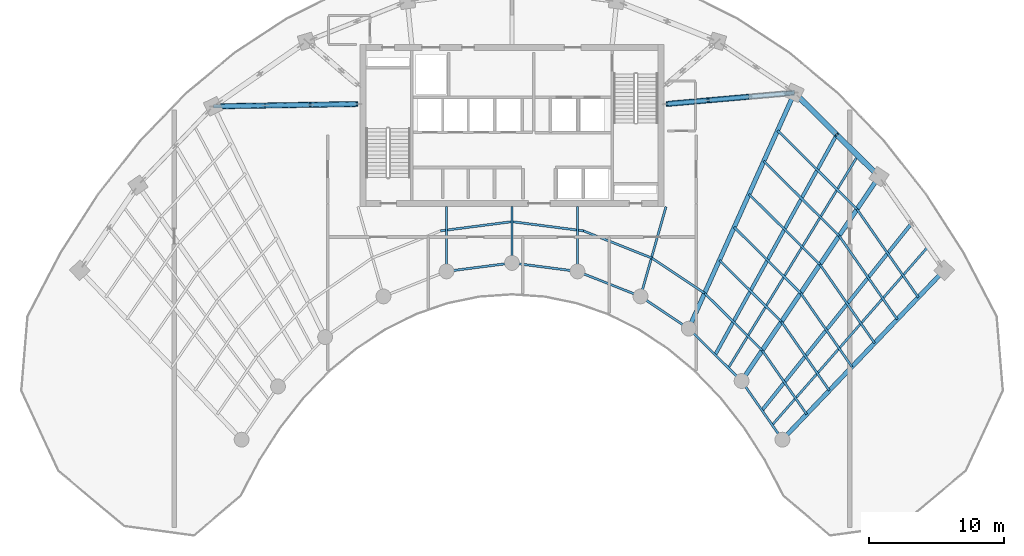
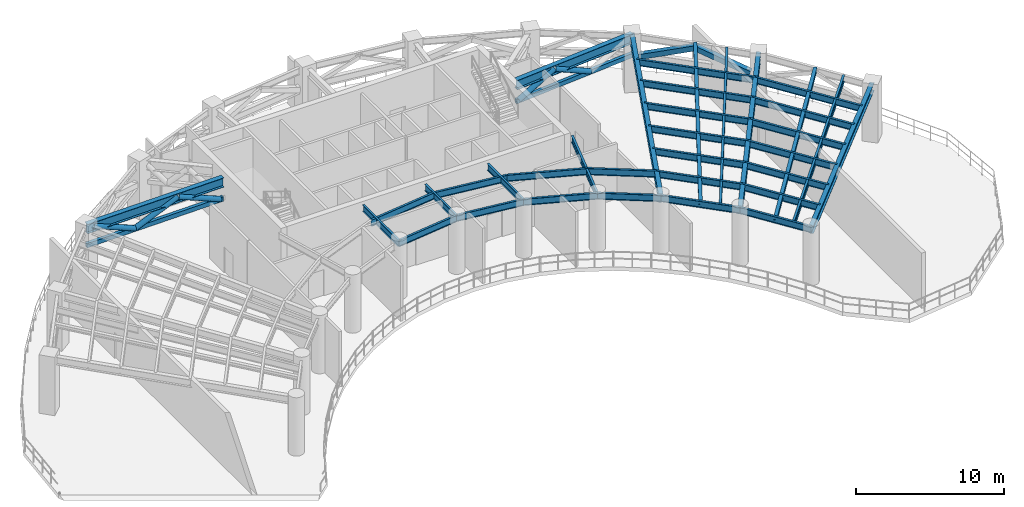
# One storey, part 2 of 19: 35 beams, 9 members.
"""IFC4 building model written with IfcOpenShell, lengths in metres."""

from ifc_helpers import new_model, si_unit, direction, frame, origin, origin_2d, place, context, subcontext, project, spatial, hollow_rectangle, hollow_circle, i_section, extrude, source, transform, mapped, material, material_profile, profile_set, type_object, type_shapes, element, save


model = new_model("IFC4")

# Units and contexts
model_context = context("Model", 3, precision=1e-05, world=origin(), true_north=direction((0.0, 1.0)))
body_context = subcontext(model_context, "Body", "Model", "MODEL_VIEW")
ifc_project = project(units=[si_unit("LENGTHUNIT", "METRE"), si_unit("AREAUNIT", "SQUARE_METRE"), si_unit("VOLUMEUNIT", "CUBIC_METRE"), si_unit("PLANEANGLEUNIT", "RADIAN"), si_unit("MASSUNIT", "GRAM", prefix="KILO")], contexts=[model_context])

# Site, building, storey
site_placement = place(None, origin())
site = spatial("IfcSite", under=ifc_project, at=site_placement, CompositionType="ELEMENT")
building_placement = place(site_placement, origin())
building = spatial("IfcBuilding", under=site, at=building_placement, Name="Breltana Convention Tower", CompositionType="ELEMENT")
storey_placement = place(building_placement, frame((0.0, 0.0, 194.39990234375)))
storey = spatial("IfcBuildingStorey", under=building, at=storey_placement, Name="L47", CompositionType="ELEMENT", Elevation=194.39990234375)

# Members
ifc_material_1 = material(Name="Steel EN 10210 S355J2H", Category="steel")
ifc_material_profile_1 = material_profile(ifc_material_1, hollow_rectangle(XDim=0.25, YDim=0.35009765625, WallThickness=0.011962890625, at=origin_2d()), Name="RHS350X250X12")
ifc_profile_set_1 = profile_set([ifc_material_profile_1], Name="Steel EN 10210 S355J2H")
member_type_1 = type_object("IfcMemberType", Name="MB-CH-RHS350X250X12", PredefinedType="CHORD", material=ifc_profile_set_1)
shared_shape_1 = source(origin(), body_context, "Body", "SweptSolid", [
    extrude(hollow_rectangle(XDim=0.25, YDim=0.35009765625, WallThickness=0.011962890625, at=origin_2d()), origin(), (0.0, 0.0, 1.0), 10.7138671875),
])
type_shapes(member_type_1, [shared_shape_1])
member_1_placement = place(storey_placement, frame((36.60009765625, 67.800048828125, 2.75), z_axis=(-0.999869477978, -0.016156330277, 0.0), x_axis=(0.016156330277, -0.999869477978, 0.0)))
element("IfcMember", 1, at=member_1_placement, inside=storey, type_object=member_type_1, Name="L47 Outrigger Truss Bottom Chord R03W", PredefinedType="CHORD", context=body_context, shape_type="MappedRepresentation", body=[
    mapped(shared_shape_1, transform((0.0, 0.0, 0.0), scale=1.0)),
])
shared_shape_2 = source(origin(), body_context, "Body", "SweptSolid", [
    extrude(hollow_rectangle(XDim=0.25, YDim=0.35009765625, WallThickness=0.011962890625, at=origin_2d()), origin(), (0.0, 0.0, 1.0), 9.546875),
])
member_2_placement = place(storey_placement, frame((59.39990234375, 67.800048828125, 2.75), z_axis=(0.996183857182, 0.087279566283, 0.0), x_axis=(-0.087279566283, 0.996183857182, 0.0)))
element("IfcMember", 2, at=member_2_placement, inside=storey, type_object=member_type_1, Name="L47 Outrigger Truss Bottom Chord R09E", PredefinedType="CHORD", context=body_context, shape_type="MappedRepresentation", body=[
    mapped(shared_shape_2, transform((0.0, 0.0, 0.0), scale=1.0)),
])

# Beams
ifc_material_2 = material(Name="Steel ASTM A992 Grade 50", Category="steel")
ifc_material_profile_2 = material_profile(ifc_material_2, i_section(OverallWidth=0.381103515625, OverallDepth=0.77294921875, WebThickness=0.0166015625, FlangeThickness=0.027099609375, at=origin_2d()), Name="W30X173")
ifc_profile_set_2 = profile_set([ifc_material_profile_2], Name="Steel ASTM A992 Grade 50")
beam_type_1 = type_object("IfcBeamType", Name="BM-OT-W30X173", PredefinedType="USERDEFINED", material=ifc_profile_set_2)
shared_shape_3 = source(origin(), body_context, "Body", "SweptSolid", [
    extrude(i_section(OverallWidth=0.381103515625, OverallDepth=0.77294921875, WebThickness=0.0166015625, FlangeThickness=0.027099609375, at=origin_2d()), origin(), (0.0, 0.0, 1.0), 10.7138671875),
])
type_shapes(beam_type_1, [shared_shape_3])
beam_1_placement = place(storey_placement, frame((36.60009765625, 67.800048828125, 4.153564453125), z_axis=(-0.999869477978, -0.016156330277, 0.0), x_axis=(0.016156330277, -0.999869477978, 0.0)))
element("IfcBeam", 3, at=beam_1_placement, inside=storey, type_object=beam_type_1, Name="L47 Outrigger Top Chord R03W", ObjectType="GIRDER", PredefinedType="USERDEFINED", context=body_context, shape_type="MappedRepresentation", body=[
    mapped(shared_shape_3, transform((0.0, 0.0, 0.0), scale=1.0)),
])
shared_shape_4 = source(origin(), body_context, "Body", "SweptSolid", [
    extrude(i_section(OverallWidth=0.381103515625, OverallDepth=0.77294921875, WebThickness=0.0166015625, FlangeThickness=0.027099609375, at=origin_2d()), origin(), (0.0, 0.0, 1.0), 9.546875),
])
beam_2_placement = place(storey_placement, frame((59.39990234375, 67.800048828125, 4.153564453125), z_axis=(0.996183857182, 0.087279566283, 0.0), x_axis=(-0.087279566283, 0.996183857182, 0.0)))
element("IfcBeam", 4, at=beam_2_placement, inside=storey, type_object=beam_type_1, Name="L47 Outrigger Top Chord R09E", ObjectType="GIRDER", PredefinedType="USERDEFINED", context=body_context, shape_type="MappedRepresentation", body=[
    mapped(shared_shape_4, transform((0.0, 0.0, 0.0), scale=1.0)),
])

# Members
ifc_material_profile_3 = material_profile(ifc_material_1, hollow_circle(Radius=0.202880859375, WallThickness=0.01611328125, at=origin_2d()), Name="CHS406X16")
ifc_profile_set_3 = profile_set([ifc_material_profile_3], Name="Steel EN 10210 S355J2H")
member_type_2 = type_object("IfcMemberType", Name="MB-BR-CHS406X16", PredefinedType="BRACE", material=ifc_profile_set_3)
shared_shape_5 = source(origin(), body_context, "Body", "SweptSolid", [
    extrude(hollow_circle(Radius=0.202880859375, WallThickness=0.01611328125, at=origin_2d()), origin(), (0.0, 0.0, 1.0), 3.620849609375),
])
for number, where, z_axis, x_axis, name in (
    (5, (36.39990234375, 67.796875, 2.75), (-0.921696692484, -0.01490087557, 0.387625039143), (0.016164676285, -0.999869343085, 0.0), "L47 Outrigger Truss Diagonal 1 R03W"),
    (6, (33.0625, 67.742919921875, 4.153564453125), (-0.921696692484, -0.01490087557, -0.387625039143), (0.016164676285, -0.999869343085, 0.0), "L47 Outrigger Truss Diagonal 2 R03W"),
    (7, (29.72509765625, 67.68896484375, 2.75), (-0.921696692484, -0.01490087557, 0.387625039143), (0.016164676285, -0.999869343085, 0.0), "L47 Outrigger Truss Diagonal 3 R03W"),
):
    element("IfcMember", number, at=place(storey_placement, frame(where, z_axis=z_axis, x_axis=x_axis)), inside=storey, type_object=member_type_2, Name=name, PredefinedType="BRACE", context=body_context, shape_type="MappedRepresentation", body=[
        mapped(shared_shape_5, transform((0.0, 0.0, 0.0), scale=1.0)),
    ])
shared_shape_6 = source(origin(), body_context, "Body", "SweptSolid", [
    extrude(hollow_circle(Radius=0.202880859375, WallThickness=0.01611328125, at=origin_2d()), origin(), (0.0, 0.0, 1.0), 3.26611328125),
])
member_3_placement = place(storey_placement, frame((59.59912109375, 67.8173828125, 2.75), z_axis=(0.899510673961, 0.078858547534, 0.429723023483), x_axis=(-0.087333305676, 0.996179147403, 0.0)))
element("IfcMember", 8, at=member_3_placement, inside=storey, type_object=member_type_2, Name="L47 Outrigger Truss Diagonal 1 R09E", PredefinedType="BRACE", context=body_context, shape_type="MappedRepresentation", body=[
    mapped(shared_shape_6, transform((0.0, 0.0, 0.0), scale=1.0)),
])
shared_shape_7 = source(origin(), body_context, "Body", "SweptSolid", [
    extrude(hollow_circle(Radius=0.202880859375, WallThickness=0.01611328125, at=origin_2d()), origin(), (0.0, 0.0, 1.0), 3.265869140625),
])
member_4_placement = place(storey_placement, frame((62.537109375, 68.074951171875, 4.153564453125), z_axis=(0.899487433474, 0.078794859947, -0.429783348989), x_axis=(-0.087265548524, 0.996185085233, 0.0)))
element("IfcMember", 9, at=member_4_placement, inside=storey, type_object=member_type_2, Name="L47 Outrigger Truss Diagonal 2 R09E", PredefinedType="BRACE", context=body_context, shape_type="MappedRepresentation", body=[
    mapped(shared_shape_7, transform((0.0, 0.0, 0.0), scale=1.0)),
])
ifc_material_profile_4 = material_profile(ifc_material_1, hollow_rectangle(XDim=0.39990234375, YDim=0.39990234375, WallThickness=0.01611328125, at=origin_2d()), Name="RHS400X400X16")
ifc_profile_set_4 = profile_set([ifc_material_profile_4], Name="Steel EN 10210 S355J2H")
member_type_3 = type_object("IfcMemberType", Name="MB-BR-RHS400X400X16", PredefinedType="BRACE", material=ifc_profile_set_4)
shared_shape_8 = source(origin(), body_context, "Body", "SweptSolid", [
    extrude(hollow_rectangle(XDim=0.39990234375, YDim=0.39990234375, WallThickness=0.01611328125, at=origin_2d()), origin(), (0.0, 0.0, 1.0), 4.102783203125),
])
for number, where, z_axis, x_axis, name in (
    (10, (69.301025390625, 68.24609375, 2.75), (0.667260476788, -0.661607239894, 0.342110093736), (0.704092253317, 0.710108512003, 0.0), "L47 Perimeter Belt Truss Brace 09A"),
    (11, (72.03857421875, 65.53173828125, 4.153564453125), (0.667260476788, -0.661607239894, -0.342110093736), (0.704092253317, 0.710108512003, 0.0), "L47 Perimeter Belt Truss Brace 09B"),
):
    element("IfcMember", number, at=place(storey_placement, frame(where, z_axis=z_axis, x_axis=x_axis)), inside=storey, type_object=member_type_3, Name=name, PredefinedType="BRACE", context=body_context, shape_type="MappedRepresentation", body=[
        mapped(shared_shape_8, transform((0.0, 0.0, 0.0), scale=1.0)),
    ])

# Beams
ifc_material_profile_5 = material_profile(ifc_material_2, i_section(OverallWidth=0.25390625, OverallDepth=0.305908203125, WebThickness=0.0087890625, FlangeThickness=0.0146484375, at=origin_2d()), Name="W12X53")
ifc_profile_set_5 = profile_set([ifc_material_profile_5], Name="Steel ASTM A992 Grade 50")
beam_type_2 = type_object("IfcBeamType", Name="BM-JSG-10", PredefinedType="JOIST", material=ifc_profile_set_5)
shared_shape_9 = source(origin(), body_context, "Body", "SweptSolid", [
    extrude(i_section(OverallWidth=0.25390625, OverallDepth=0.305908203125, WebThickness=0.0087890625, FlangeThickness=0.0146484375, at=origin_2d()), origin(), (0.0, 0.0, 1.0), 18.617431640625),
])
beam_3_placement = place(storey_placement, frame((63.038818359375, 49.234130859375, 4.38720703125), z_axis=(0.483405602507, 0.875396495004, 0.0), x_axis=(-0.875396495004, 0.483405602507, 0.0)))
element("IfcBeam", 12, at=beam_3_placement, inside=storey, type_object=beam_type_2, Name="L47 Mid-Bay Radial Trimmer 09", PredefinedType="JOIST", context=body_context, shape_type="MappedRepresentation", body=[
    mapped(shared_shape_9, transform((0.0, 0.0, 0.0), scale=1.0)),
])
ifc_material_profile_6 = material_profile(ifc_material_2, i_section(OverallWidth=0.166015625, OverallDepth=0.534912109375, WebThickness=0.01025390625, FlangeThickness=0.0166015625, at=origin_2d()), Name="W21X57")
ifc_profile_set_6 = profile_set([ifc_material_profile_6], Name="Steel ASTM A992 Grade 50")
beam_type_3 = type_object("IfcBeamType", Name="BM-JSG-05", PredefinedType="JOIST", material=ifc_profile_set_6)
shared_shape_10 = source(origin(), body_context, "Body", "SweptSolid", [
    extrude(i_section(OverallWidth=0.166015625, OverallDepth=0.534912109375, WebThickness=0.01025390625, FlangeThickness=0.0166015625, at=origin_2d()), origin(), (0.0, 0.0, 1.0), 18.409423828125),
])
beam_4_placement = place(storey_placement, frame((64.017333984375, 48.263916015625, 4.272705078125), z_axis=(0.520682167606, 0.853750596098, 0.0), x_axis=(-0.853750596098, 0.520682167606, 0.0)))
element("IfcBeam", 13, at=beam_4_placement, inside=storey, type_object=beam_type_3, Name="L47 Quarter-Bay Radial Trimmer 09", PredefinedType="JOIST", context=body_context, shape_type="MappedRepresentation", body=[
    mapped(shared_shape_10, transform((0.0, 0.0, 0.0), scale=1.0)),
])
shared_shape_11 = source(origin(), body_context, "Body", "SweptSolid", [
    extrude(i_section(OverallWidth=0.25390625, OverallDepth=0.305908203125, WebThickness=0.0087890625, FlangeThickness=0.0146484375, at=origin_2d()), origin(), (0.0, 0.0, 1.0), 17.7236328125),
])
beam_5_placement = place(storey_placement, frame((66.505615234375, 45.124267578125, 4.38720703125), z_axis=(0.624829427563, 0.78076128647, 0.0), x_axis=(-0.78076128647, 0.624829427563, 0.0)))
element("IfcBeam", 14, at=beam_5_placement, inside=storey, type_object=beam_type_2, Name="L47 Mid-Bay Radial Trimmer 10", PredefinedType="JOIST", context=body_context, shape_type="MappedRepresentation", body=[
    mapped(shared_shape_11, transform((0.0, 0.0, 0.0), scale=1.0)),
])
shared_shape_12 = source(origin(), body_context, "Body", "SweptSolid", [
    extrude(i_section(OverallWidth=0.166015625, OverallDepth=0.534912109375, WebThickness=0.01025390625, FlangeThickness=0.0166015625, at=origin_2d()), origin(), (0.0, 0.0, 1.0), 17.515625),
])
beam_6_placement = place(storey_placement, frame((67.260498046875, 44.03955078125, 4.272705078125), z_axis=(0.658051548324, 0.752972881151, 0.0), x_axis=(-0.752972881151, 0.658051548324, 0.0)))
element("IfcBeam", 15, at=beam_6_placement, inside=storey, type_object=beam_type_3, Name="L47 Quarter-Bay Radial Trimmer 10", PredefinedType="JOIST", context=body_context, shape_type="MappedRepresentation", body=[
    mapped(shared_shape_12, transform((0.0, 0.0, 0.0), scale=1.0)),
])
ifc_material_profile_7 = material_profile(ifc_material_2, i_section(OverallWidth=0.166015625, OverallDepth=0.534912109375, WebThickness=0.01025390625, FlangeThickness=0.0166015625, at=origin_2d()), Name="W21X57")
ifc_profile_set_7 = profile_set([ifc_material_profile_7], Name="Steel ASTM A992 Grade 50")
beam_type_4 = type_object("IfcBeamType", Name="BM-BM-W21X57", PredefinedType="BEAM", material=ifc_profile_set_7)
shared_shape_13 = source(origin(), body_context, "Body", "SweptSolid", [
    extrude(i_section(OverallWidth=0.166015625, OverallDepth=0.534912109375, WebThickness=0.01025390625, FlangeThickness=0.0166015625, at=origin_2d()), origin(), (0.0, 0.0, 1.0), 6.904541015625),
])
type_shapes(beam_type_4, [shared_shape_13])
beam_7_placement = place(storey_placement, frame((59.39990234375, 60.199951171875, 4.272705078125), z_axis=(-0.273006781054, -0.962012108811, 0.0), x_axis=(0.962012108811, -0.273006781054, 0.0)))
element("IfcBeam", 16, at=beam_7_placement, inside=storey, type_object=beam_type_4, Name="L47 South Core Tie Girder R08", PredefinedType="BEAM", context=body_context, shape_type="MappedRepresentation", body=[
    mapped(shared_shape_13, transform((0.0, 0.0, 0.0), scale=1.0)),
])
shared_shape_14 = source(origin(), body_context, "Body", "SweptSolid", [
    extrude(i_section(OverallWidth=0.166015625, OverallDepth=0.534912109375, WebThickness=0.01025390625, FlangeThickness=0.0166015625, at=origin_2d()), origin(), (0.0, 0.0, 1.0), 4.789306640625),
])
for number, where, z_axis, x_axis, name in (
    (17, (43.153564453125, 60.199951171875, 4.272705078125), (0.0, -1.0, 0.0), (1.0, 0.0, 0.0), "L47 South Core Tie Girder R05"),
    (18, (52.846435546875, 60.199951171875, 4.272705078125), (0.0, -1.0, 0.0), (1.0, 0.0, 0.0), "L47 South Core Tie Girder R07"),
):
    element("IfcBeam", number, at=place(storey_placement, frame(where, z_axis=z_axis, x_axis=x_axis)), inside=storey, type_object=beam_type_4, Name=name, PredefinedType="BEAM", context=body_context, shape_type="MappedRepresentation", body=[
        mapped(shared_shape_14, transform((0.0, 0.0, 0.0), scale=1.0)),
    ])
shared_shape_15 = source(origin(), body_context, "Body", "SweptSolid", [
    extrude(i_section(OverallWidth=0.166015625, OverallDepth=0.534912109375, WebThickness=0.01025390625, FlangeThickness=0.0166015625, at=origin_2d()), origin(), (0.0, 0.0, 1.0), 4.1640625),
])
beam_8_placement = place(storey_placement, frame((48.0, 60.199951171875, 4.272705078125), z_axis=(0.0, -1.0, 0.0), x_axis=(1.0, 0.0, 0.0)))
element("IfcBeam", 19, at=beam_8_placement, inside=storey, type_object=beam_type_4, Name="L47 South Core Tie Girder R06", PredefinedType="BEAM", context=body_context, shape_type="MappedRepresentation", body=[
    mapped(shared_shape_15, transform((0.0, 0.0, 0.0), scale=1.0)),
])
shared_shape_16 = source(origin(), body_context, "Body", "SweptSolid", [
    extrude(i_section(OverallWidth=0.166015625, OverallDepth=0.534912109375, WebThickness=0.01025390625, FlangeThickness=0.0166015625, at=origin_2d()), origin(), (0.0, 0.0, 1.0), 5.022705078125),
])
beam_9_placement = place(storey_placement, frame((52.846435546875, 55.41064453125, 4.272705078125), z_axis=(0.929458966248, -0.368925507469, 0.0), x_axis=(0.368925507469, 0.929458966248, 0.0)))
element("IfcBeam", 20, at=beam_9_placement, inside=storey, type_object=beam_type_4, Name="L47 Inner Ring Beam 07", PredefinedType="BEAM", context=body_context, shape_type="MappedRepresentation", body=[
    mapped(shared_shape_16, transform((0.0, 0.0, 0.0), scale=1.0)),
])
shared_shape_17 = source(origin(), body_context, "Body", "SweptSolid", [
    extrude(i_section(OverallWidth=0.166015625, OverallDepth=0.534912109375, WebThickness=0.01025390625, FlangeThickness=0.0166015625, at=origin_2d()), origin(), (0.0, 0.0, 1.0), 4.88671875),
])
for number, where, z_axis, x_axis, name in (
    (21, (43.153564453125, 55.41064453125, 4.272705078125), (0.991780525565, 0.127950729231, 0.0), (-0.127950729231, 0.991780525565, 0.0), "L47 Inner Ring Beam 05"),
    (22, (48.0, 56.035888671875, 4.272705078125), (0.991780525565, -0.127950729231, 0.0), (0.127950729231, 0.991780525565, 0.0), "L47 Inner Ring Beam 06"),
):
    element("IfcBeam", number, at=place(storey_placement, frame(where, z_axis=z_axis, x_axis=x_axis)), inside=storey, type_object=beam_type_4, Name=name, PredefinedType="BEAM", context=body_context, shape_type="MappedRepresentation", body=[
        mapped(shared_shape_17, transform((0.0, 0.0, 0.0), scale=1.0)),
    ])
shared_shape_18 = source(origin(), body_context, "Body", "SweptSolid", [
    extrude(i_section(OverallWidth=0.166015625, OverallDepth=0.534912109375, WebThickness=0.01025390625, FlangeThickness=0.0166015625, at=origin_2d()), origin(), (0.0, 0.0, 1.0), 4.2900390625),
])
beam_10_placement = place(storey_placement, frame((57.514892578125, 53.5576171875, 4.272705078125), z_axis=(0.831515827753, -0.555501060482, 0.0), x_axis=(0.555501060482, 0.831515827753, 0.0)))
element("IfcBeam", 23, at=beam_10_placement, inside=storey, type_object=beam_type_4, Name="L47 Inner Ring Beam 08", PredefinedType="BEAM", context=body_context, shape_type="MappedRepresentation", body=[
    mapped(shared_shape_18, transform((0.0, 0.0, 0.0), scale=1.0)),
])
shared_shape_19 = source(origin(), body_context, "Body", "SweptSolid", [
    extrude(i_section(OverallWidth=0.166015625, OverallDepth=0.534912109375, WebThickness=0.01025390625, FlangeThickness=0.0166015625, at=origin_2d()), origin(), (0.0, 0.0, 1.0), 5.51171875),
])
beam_11_placement = place(storey_placement, frame((61.08203125, 51.174560546875, 4.272705078125), z_axis=(0.710090360749, -0.704110559196, 0.0), x_axis=(0.704110559196, 0.710090360749, 0.0)))
element("IfcBeam", 24, at=beam_11_placement, inside=storey, type_object=beam_type_4, Name="L47 Inner Ring Beam 09", PredefinedType="BEAM", context=body_context, shape_type="MappedRepresentation", body=[
    mapped(shared_shape_19, transform((0.0, 0.0, 0.0), scale=1.0)),
])
shared_shape_20 = source(origin(), body_context, "Body", "SweptSolid", [
    extrude(i_section(OverallWidth=0.166015625, OverallDepth=0.534912109375, WebThickness=0.01025390625, FlangeThickness=0.0166015625, at=origin_2d()), origin(), (0.0, 0.0, 1.0), 5.286376953125),
])
beam_12_placement = place(storey_placement, frame((64.995849609375, 47.293701171875, 4.272705078125), z_axis=(0.571194382458, -0.82081482531, 0.0), x_axis=(0.82081482531, 0.571194382458, 0.0)))
element("IfcBeam", 25, at=beam_12_placement, inside=storey, type_object=beam_type_4, Name="L47 Inner Ring Beam 10", PredefinedType="BEAM", context=body_context, shape_type="MappedRepresentation", body=[
    mapped(shared_shape_20, transform((0.0, 0.0, 0.0), scale=1.0)),
])
shared_shape_21 = source(origin(), body_context, "Body", "SweptSolid", [
    extrude(i_section(OverallWidth=0.166015625, OverallDepth=0.534912109375, WebThickness=0.01025390625, FlangeThickness=0.0166015625, at=origin_2d()), origin(), (0.0, 0.0, 1.0), 5.473876953125),
])
beam_13_placement = place(storey_placement, frame((53.281494140625, 58.409912109375, 4.272705078125), z_axis=(0.92945162863, -0.368943993091, 0.0), x_axis=(0.368943993091, 0.92945162863, 0.0)))
element("IfcBeam", 26, at=beam_13_placement, inside=storey, type_object=beam_type_3, Name="L47 Composite Floor Joist 07.1", PredefinedType="JOIST", context=body_context, shape_type="MappedRepresentation", body=[
    mapped(shared_shape_21, transform((0.0, 0.0, 0.0), scale=1.0)),
])
shared_shape_22 = source(origin(), body_context, "Body", "SweptSolid", [
    extrude(i_section(OverallWidth=0.166015625, OverallDepth=0.534912109375, WebThickness=0.01025390625, FlangeThickness=0.0166015625, at=origin_2d()), origin(), (0.0, 0.0, 1.0), 5.3251953125),
])
for number, where, z_axis, x_axis, name in (
    (27, (42.718505859375, 58.409912109375, 4.272705078125), (0.991779931204, 0.127955336199, 0.0), (-0.127955336199, 0.991779931204, 0.0), "L47 Composite Floor Joist 05.1"),
    (28, (48.0, 59.09130859375, 4.272705078125), (0.991779931204, -0.127955336199, 0.0), (0.127955336199, 0.991779931204, 0.0), "L47 Composite Floor Joist 06.1"),
):
    element("IfcBeam", number, at=place(storey_placement, frame(where, z_axis=z_axis, x_axis=x_axis)), inside=storey, type_object=beam_type_3, Name=name, PredefinedType="JOIST", context=body_context, shape_type="MappedRepresentation", body=[
        mapped(shared_shape_22, transform((0.0, 0.0, 0.0), scale=1.0)),
    ])
shared_shape_23 = source(origin(), body_context, "Body", "SweptSolid", [
    extrude(i_section(OverallWidth=0.166015625, OverallDepth=0.534912109375, WebThickness=0.01025390625, FlangeThickness=0.0166015625, at=origin_2d()), origin(), (0.0, 0.0, 1.0), 4.675048828125),
])
beam_14_placement = place(storey_placement, frame((58.369140625, 56.390380859375, 4.272705078125), z_axis=(0.831487469976, -0.555543506193, 0.0), x_axis=(0.555543506193, 0.831487469976, 0.0)))
element("IfcBeam", 29, at=beam_14_placement, inside=storey, type_object=beam_type_3, Name="L47 Composite Floor Joist 08.1", PredefinedType="JOIST", context=body_context, shape_type="MappedRepresentation", body=[
    mapped(shared_shape_23, transform((0.0, 0.0, 0.0), scale=1.0)),
])
shared_shape_24 = source(origin(), body_context, "Body", "SweptSolid", [
    extrude(i_section(OverallWidth=0.166015625, OverallDepth=0.534912109375, WebThickness=0.01025390625, FlangeThickness=0.0166015625, at=origin_2d()), origin(), (0.0, 0.0, 1.0), 6.00634765625),
])
beam_15_placement = place(storey_placement, frame((62.25634765625, 53.793212890625, 4.272705078125), z_axis=(0.710108283635, -0.704092483636, 0.0), x_axis=(0.704092483636, 0.710108283635, 0.0)))
element("IfcBeam", 30, at=beam_15_placement, inside=storey, type_object=beam_type_3, Name="L47 Composite Floor Joist 09.1", PredefinedType="JOIST", context=body_context, shape_type="MappedRepresentation", body=[
    mapped(shared_shape_24, transform((0.0, 0.0, 0.0), scale=1.0)),
])
shared_shape_25 = source(origin(), body_context, "Body", "SweptSolid", [
    extrude(i_section(OverallWidth=0.166015625, OverallDepth=0.534912109375, WebThickness=0.01025390625, FlangeThickness=0.0166015625, at=origin_2d()), origin(), (0.0, 0.0, 1.0), 6.468017578125),
])
beam_16_placement = place(storey_placement, frame((63.352294921875, 56.237548828125, 4.272705078125), z_axis=(0.710101160442, -0.704099667617, 0.0), x_axis=(0.704099667617, 0.710101160442, 0.0)))
element("IfcBeam", 31, at=beam_16_placement, inside=storey, type_object=beam_type_3, Name="L47 Composite Floor Joist 09.2", PredefinedType="JOIST", context=body_context, shape_type="MappedRepresentation", body=[
    mapped(shared_shape_25, transform((0.0, 0.0, 0.0), scale=1.0)),
])
shared_shape_26 = source(origin(), body_context, "Body", "SweptSolid", [
    extrude(i_section(OverallWidth=0.166015625, OverallDepth=0.534912109375, WebThickness=0.01025390625, FlangeThickness=0.0166015625, at=origin_2d()), origin(), (0.0, 0.0, 1.0), 6.93017578125),
])
beam_17_placement = place(storey_placement, frame((64.4482421875, 58.681884765625, 4.272705078125), z_axis=(0.710112451674, -0.70408827996, 0.0), x_axis=(0.70408827996, 0.710112451674, 0.0)))
element("IfcBeam", 32, at=beam_17_placement, inside=storey, type_object=beam_type_3, Name="L47 Composite Floor Joist 09.3", PredefinedType="JOIST", context=body_context, shape_type="MappedRepresentation", body=[
    mapped(shared_shape_26, transform((0.0, 0.0, 0.0), scale=1.0)),
])
shared_shape_27 = source(origin(), body_context, "Body", "SweptSolid", [
    extrude(i_section(OverallWidth=0.166015625, OverallDepth=0.534912109375, WebThickness=0.01025390625, FlangeThickness=0.0166015625, at=origin_2d()), origin(), (0.0, 0.0, 1.0), 7.391845703125),
])
beam_18_placement = place(storey_placement, frame((65.544189453125, 61.1259765625, 4.272705078125), z_axis=(0.710105958319, -0.704094828812, 0.0), x_axis=(0.704094828812, 0.710105958319, 0.0)))
element("IfcBeam", 33, at=beam_18_placement, inside=storey, type_object=beam_type_3, Name="L47 Composite Floor Joist 09.4", PredefinedType="JOIST", context=body_context, shape_type="MappedRepresentation", body=[
    mapped(shared_shape_27, transform((0.0, 0.0, 0.0), scale=1.0)),
])
shared_shape_28 = source(origin(), body_context, "Body", "SweptSolid", [
    extrude(i_section(OverallWidth=0.166015625, OverallDepth=0.534912109375, WebThickness=0.01025390625, FlangeThickness=0.0166015625, at=origin_2d()), origin(), (0.0, 0.0, 1.0), 7.853759765625),
])
beam_19_placement = place(storey_placement, frame((66.64013671875, 63.5703125, 4.272705078125), z_axis=(0.710115639208, -0.70408506514, 0.0), x_axis=(0.70408506514, 0.710115639208, 0.0)))
element("IfcBeam", 34, at=beam_19_placement, inside=storey, type_object=beam_type_3, Name="L47 Composite Floor Joist 09.5", PredefinedType="JOIST", context=body_context, shape_type="MappedRepresentation", body=[
    mapped(shared_shape_28, transform((0.0, 0.0, 0.0), scale=1.0)),
])
shared_shape_29 = source(origin(), body_context, "Body", "SweptSolid", [
    extrude(i_section(OverallWidth=0.166015625, OverallDepth=0.534912109375, WebThickness=0.01025390625, FlangeThickness=0.0166015625, at=origin_2d()), origin(), (0.0, 0.0, 1.0), 8.2822265625),
])
beam_20_placement = place(storey_placement, frame((67.657958984375, 65.83984375, 4.272705078125), z_axis=(0.710107068817, -0.704093708832, 0.0), x_axis=(0.704093708832, 0.710107068817, 0.0)))
element("IfcBeam", 35, at=beam_20_placement, inside=storey, type_object=beam_type_3, Name="L47 Composite Floor Joist 09.6", PredefinedType="JOIST", context=body_context, shape_type="MappedRepresentation", body=[
    mapped(shared_shape_29, transform((0.0, 0.0, 0.0), scale=1.0)),
])
shared_shape_30 = source(origin(), body_context, "Body", "SweptSolid", [
    extrude(i_section(OverallWidth=0.166015625, OverallDepth=0.534912109375, WebThickness=0.01025390625, FlangeThickness=0.0166015625, at=origin_2d()), origin(), (0.0, 0.0, 1.0), 5.760986328125),
])
beam_21_placement = place(storey_placement, frame((66.521484375, 49.564208984375, 4.272705078125), z_axis=(0.571224653223, -0.820793759449, 0.0), x_axis=(0.820793759449, 0.571224653223, 0.0)))
element("IfcBeam", 36, at=beam_21_placement, inside=storey, type_object=beam_type_3, Name="L47 Composite Floor Joist 10.1", PredefinedType="JOIST", context=body_context, shape_type="MappedRepresentation", body=[
    mapped(shared_shape_30, transform((0.0, 0.0, 0.0), scale=1.0)),
])
shared_shape_31 = source(origin(), body_context, "Body", "SweptSolid", [
    extrude(i_section(OverallWidth=0.166015625, OverallDepth=0.534912109375, WebThickness=0.01025390625, FlangeThickness=0.0166015625, at=origin_2d()), origin(), (0.0, 0.0, 1.0), 6.203857421875),
])
beam_22_placement = place(storey_placement, frame((67.9453125, 51.683349609375, 4.272705078125), z_axis=(0.571217832032, -0.820798506558, 0.0), x_axis=(0.820798506558, 0.571217832032, 0.0)))
element("IfcBeam", 37, at=beam_22_placement, inside=storey, type_object=beam_type_3, Name="L47 Composite Floor Joist 10.2", PredefinedType="JOIST", context=body_context, shape_type="MappedRepresentation", body=[
    mapped(shared_shape_31, transform((0.0, 0.0, 0.0), scale=1.0)),
])
shared_shape_32 = source(origin(), body_context, "Body", "SweptSolid", [
    extrude(i_section(OverallWidth=0.166015625, OverallDepth=0.534912109375, WebThickness=0.01025390625, FlangeThickness=0.0166015625, at=origin_2d()), origin(), (0.0, 0.0, 1.0), 6.646728515625),
])
beam_23_placement = place(storey_placement, frame((69.369384765625, 53.802490234375, 4.272705078125), z_axis=(0.571194698527, -0.820814605362, 0.0), x_axis=(0.820814605362, 0.571194698527, 0.0)))
element("IfcBeam", 38, at=beam_23_placement, inside=storey, type_object=beam_type_3, Name="L47 Composite Floor Joist 10.3", PredefinedType="JOIST", context=body_context, shape_type="MappedRepresentation", body=[
    mapped(shared_shape_32, transform((0.0, 0.0, 0.0), scale=1.0)),
])
shared_shape_33 = source(origin(), body_context, "Body", "SweptSolid", [
    extrude(i_section(OverallWidth=0.166015625, OverallDepth=0.534912109375, WebThickness=0.01025390625, FlangeThickness=0.0166015625, at=origin_2d()), origin(), (0.0, 0.0, 1.0), 7.089599609375),
])
beam_24_placement = place(storey_placement, frame((70.793212890625, 55.92138671875, 4.272705078125), z_axis=(0.571206746165, -0.820806221429, 0.0), x_axis=(0.820806221429, 0.571206746165, 0.0)))
element("IfcBeam", 39, at=beam_24_placement, inside=storey, type_object=beam_type_3, Name="L47 Composite Floor Joist 10.4", PredefinedType="JOIST", context=body_context, shape_type="MappedRepresentation", body=[
    mapped(shared_shape_33, transform((0.0, 0.0, 0.0), scale=1.0)),
])
shared_shape_34 = source(origin(), body_context, "Body", "SweptSolid", [
    extrude(i_section(OverallWidth=0.166015625, OverallDepth=0.534912109375, WebThickness=0.01025390625, FlangeThickness=0.0166015625, at=origin_2d()), origin(), (0.0, 0.0, 1.0), 7.5322265625),
])
beam_25_placement = place(storey_placement, frame((72.21728515625, 58.04052734375, 4.272705078125), z_axis=(0.57120218088, -0.820809398434, 0.0), x_axis=(0.820809398434, 0.57120218088, 0.0)))
element("IfcBeam", 40, at=beam_25_placement, inside=storey, type_object=beam_type_3, Name="L47 Composite Floor Joist 10.5", PredefinedType="JOIST", context=body_context, shape_type="MappedRepresentation", body=[
    mapped(shared_shape_34, transform((0.0, 0.0, 0.0), scale=1.0)),
])
shared_shape_35 = source(origin(), body_context, "Body", "SweptSolid", [
    extrude(i_section(OverallWidth=0.166015625, OverallDepth=0.534912109375, WebThickness=0.01025390625, FlangeThickness=0.0166015625, at=origin_2d()), origin(), (0.0, 0.0, 1.0), 7.94384765625),
])
beam_26_placement = place(storey_placement, frame((73.539306640625, 60.00830078125, 4.272705078125), z_axis=(0.571213957374, -0.820801203034, 0.0), x_axis=(0.820801203034, 0.571213957374, 0.0)))
element("IfcBeam", 41, at=beam_26_placement, inside=storey, type_object=beam_type_3, Name="L47 Composite Floor Joist 10.6", PredefinedType="JOIST", context=body_context, shape_type="MappedRepresentation", body=[
    mapped(shared_shape_35, transform((0.0, 0.0, 0.0), scale=1.0)),
])
ifc_material_profile_8 = material_profile(ifc_material_2, i_section(OverallWidth=0.326904296875, OverallDepth=0.6220703125, WebThickness=0.015380859375, FlangeThickness=0.0244140625, at=origin_2d()), Name="W24X131")
ifc_profile_set_8 = profile_set([ifc_material_profile_8], Name="Steel ASTM A992 Grade 50")
beam_type_5 = type_object("IfcBeamType", Name="BM-RG-W24X131", PredefinedType="USERDEFINED", material=ifc_profile_set_8)
shared_shape_36 = source(origin(), body_context, "Body", "SweptSolid", [
    extrude(i_section(OverallWidth=0.326904296875, OverallDepth=0.6220703125, WebThickness=0.015380859375, FlangeThickness=0.0244140625, at=origin_2d()), origin(), (0.0, 0.0, 1.0), 17.341064453125),
])
type_shapes(beam_type_5, [shared_shape_36])
beam_27_placement = place(storey_placement, frame((68.015380859375, 42.95458984375, 4.22900390625), z_axis=(0.690716462293, 0.723125693581, 0.0), x_axis=(-0.723125693581, 0.690716462293, 0.0)))
element("IfcBeam", 42, at=beam_27_placement, inside=storey, type_object=beam_type_5, Name="L47 Radial Floor Girder R11", ObjectType="GIRDER", PredefinedType="USERDEFINED", context=body_context, shape_type="MappedRepresentation", body=[
    mapped(shared_shape_36, transform((0.0, 0.0, 0.0), scale=1.0)),
])
shared_shape_37 = source(origin(), body_context, "Body", "SweptSolid", [
    extrude(i_section(OverallWidth=0.326904296875, OverallDepth=0.6220703125, WebThickness=0.015380859375, FlangeThickness=0.0244140625, at=origin_2d()), origin(), (0.0, 0.0, 1.0), 19.133544921875),
])
beam_28_placement = place(storey_placement, frame((61.08203125, 51.174560546875, 4.22900390625), z_axis=(0.409144564164, 0.912469575172, 0.0), x_axis=(-0.912469575172, 0.409144564164, 0.0)))
element("IfcBeam", 43, at=beam_28_placement, inside=storey, type_object=beam_type_5, Name="L47 Radial Floor Girder R09", ObjectType="GIRDER", PredefinedType="USERDEFINED", context=body_context, shape_type="MappedRepresentation", body=[
    mapped(shared_shape_37, transform((0.0, 0.0, 0.0), scale=1.0)),
])
shared_shape_38 = source(origin(), body_context, "Body", "SweptSolid", [
    extrude(i_section(OverallWidth=0.326904296875, OverallDepth=0.6220703125, WebThickness=0.015380859375, FlangeThickness=0.0244140625, at=origin_2d()), origin(), (0.0, 0.0, 1.0), 18.236328125),
])
beam_29_placement = place(storey_placement, frame((64.995849609375, 47.293701171875, 4.22900390625), z_axis=(0.557730360975, 0.830022195153, 0.0), x_axis=(-0.830022195153, 0.557730360975, 0.0)))
element("IfcBeam", 44, at=beam_29_placement, inside=storey, type_object=beam_type_5, Name="L47 Radial Floor Girder R10", ObjectType="GIRDER", PredefinedType="USERDEFINED", context=body_context, shape_type="MappedRepresentation", body=[
    mapped(shared_shape_38, transform((0.0, 0.0, 0.0), scale=1.0)),
])

save(model, "model.ifc")
